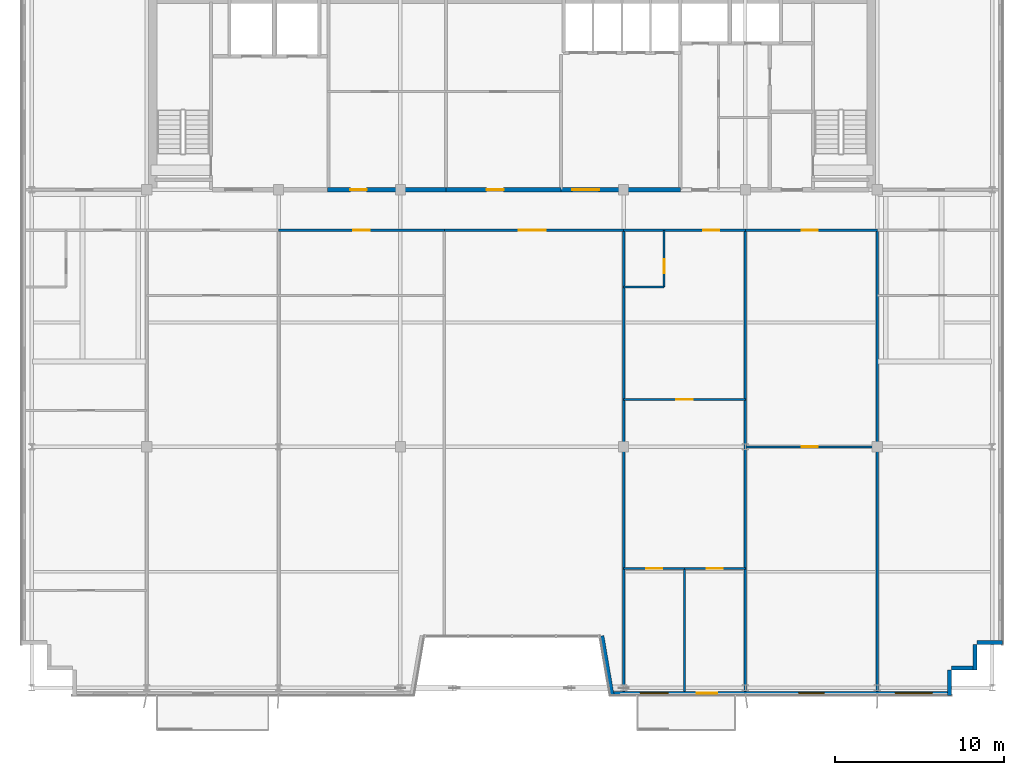
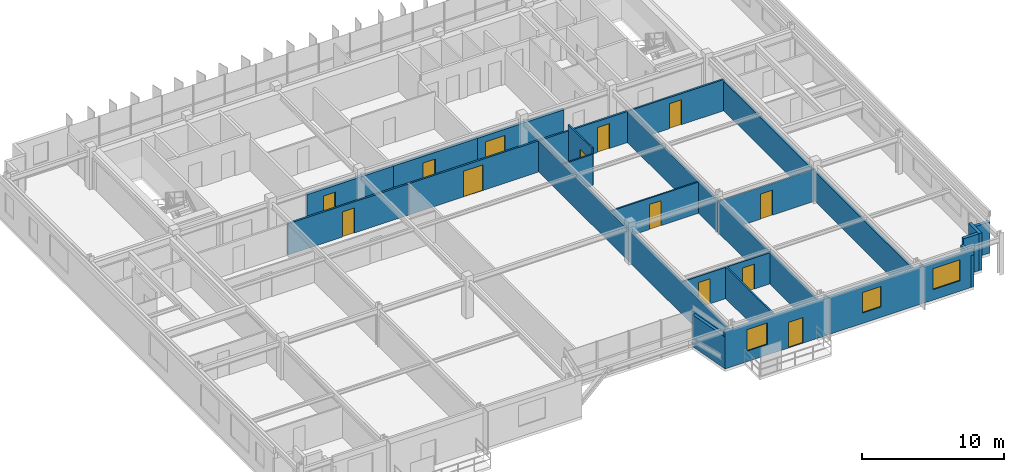
# One storey, part 22 of 26: 23 walls, 13 doors, 3 windows, 16 openings.
"""IFC4 building model written with IfcOpenShell, lengths in metres."""

from ifc_helpers import new_model, si_unit, direction, frame, frame_2d, origin, place, context, subcontext, project, spatial, rectangle, extrude, source, transform, mapped, material, layer, layer_set, type_object, element, fill, save


model = new_model("IFC4")

# Units and contexts
model_context = context("Model", 3, precision=1e-05, world=origin(), true_north=direction((0.0, 1.0)))
body_context = subcontext(model_context, "Body", "Model", "MODEL_VIEW")
ifc_project = project(units=[si_unit("LENGTHUNIT", "METRE"), si_unit("AREAUNIT", "SQUARE_METRE"), si_unit("VOLUMEUNIT", "CUBIC_METRE"), si_unit("PLANEANGLEUNIT", "RADIAN"), si_unit("MASSUNIT", "GRAM", prefix="KILO")], contexts=[model_context])

# Site, building, storey
site_placement = place(None, origin())
site = spatial("IfcSite", under=ifc_project, at=site_placement, CompositionType="ELEMENT")
building_placement = place(site_placement, origin())
building = spatial("IfcBuilding", under=site, at=building_placement, Name="Trelvane Seafront Commons", CompositionType="ELEMENT")
storey_placement = place(building_placement, frame((0.0, 0.0, 291.89990234375)))
storey = spatial("IfcBuildingStorey", under=building, at=storey_placement, Name="L76", CompositionType="ELEMENT", Elevation=291.89990234375)

# Walls
ifc_material_1 = material(Name="Precast concrete C40/50", Category="concrete")
ifc_layer_1 = layer(ifc_material_1, 0.239990234375, Name="ARCH-WALL-EXT240")
ifc_layer_set_1 = layer_set([ifc_layer_1], Name="Precast concrete C40/50")
wall_type_1 = type_object("IfcWallType", Name="ARCH-WALL-EXT240", PredefinedType="SOLIDWALL", material=ifc_layer_set_1)
wall_1_placement = place(storey_placement, frame((66.199951171875, 6.6201171875, 0.0), z_axis=(0.0, 0.0, 1.0), x_axis=(-1.0, 0.0, 0.0)))
element("IfcWall", 1, at=wall_1_placement, inside=storey, type_object=wall_type_1, Name="EW-L76-01548", PredefinedType="SOLIDWALL", context=body_context, shape_type="SweptSolid", body=[
    extrude(rectangle(XDim=1.5, YDim=0.239990234375, at=frame_2d((0.75, 0.0))), origin(), (0.0, 0.0, 1.0), 2.68017578125),
])
for number, where, z_axis, x_axis, name in (
    (2, (64.580078125, 6.5, 0.0), (0.0, 0.0, 1.0), (0.0, -1.0, 0.0), "EW-L76-01549"),
    (3, (64.699951171875, 5.1201171875, 0.0), (0.0, 0.0, 1.0), (-1.0, 0.0, 0.0), "EW-L76-01550"),
):
    element("IfcWall", number, at=place(storey_placement, frame(where, z_axis=z_axis, x_axis=x_axis)), inside=storey, type_object=wall_type_1, Name=name, PredefinedType="SOLIDWALL", context=body_context, shape_type="SweptSolid", body=[
        extrude(rectangle(XDim=1.5, YDim=0.239990234375, at=frame_2d((0.75, 0.0))), origin(), (0.0, 0.0, 1.0), 3.18017578125),
    ])
wall_2_placement = place(storey_placement, frame((63.080078125, 5.0, 0.0), z_axis=(0.0, 0.0, 1.0), x_axis=(0.0, -1.0, 0.0)))
element("IfcWall", 4, at=wall_2_placement, inside=storey, type_object=wall_type_1, Name="EW-L76-01551", PredefinedType="SOLIDWALL", context=body_context, shape_type="SweptSolid", body=[
    extrude(rectangle(XDim=1.5, YDim=0.239990234375, at=frame_2d((0.75, 0.0))), origin(), (0.0, 0.0, 1.0), 2.72998046875),
])

# Wall, openings, door, windows
wall_3_placement = place(storey_placement, frame((63.199951171875, 3.6201171875, 0.0), z_axis=(0.0, 0.0, 1.0), x_axis=(-1.0, 0.0, 0.0)))
wall_3 = element("IfcWall", 5, at=wall_3_placement, inside=storey, type_object=wall_type_1, Name="EW-L76-01552", PredefinedType="SOLIDWALL", context=body_context, shape_type="SweptSolid", body=[
    extrude(rectangle(XDim=20.199951171875, YDim=0.239990234375, at=frame_2d((10.10009765625, 0.0))), origin(), (0.0, 0.0, 1.0), 3.18017578125),
])
opening_1_placement = place(wall_3_placement, frame((1.14501953125, 0.0, 0.89990234375)))
opening_1 = element("IfcOpeningElement", 6, at=opening_1_placement, cuts=wall_3, Name="Opening W02", PredefinedType="OPENING", context=body_context, shape_type="SweptSolid", body=[
    extrude(rectangle(XDim=2.199951171875, YDim=1.800048828125, at=frame_2d((1.10009765625, 0.89990234375))), frame((0.0, 0.1298828125, 0.0), z_axis=(0.0, -1.0, 0.0), x_axis=(1.0, 0.0, 0.0)), (0.0, 0.0, 1.0), 0.260009765625),
])
opening_2_placement = place(wall_3_placement, frame((7.550048828125, 0.0, 0.89990234375)))
opening_2 = element("IfcOpeningElement", 7, at=opening_2_placement, cuts=wall_3, Name="Opening W03", PredefinedType="OPENING", context=body_context, shape_type="SweptSolid", body=[
    extrude(rectangle(XDim=1.5, YDim=1.75, at=frame_2d((0.75, 0.875))), frame((0.0, 0.1298828125, 0.0), z_axis=(0.0, -1.0, 0.0), x_axis=(1.0, 0.0, 0.0)), (0.0, 0.0, 1.0), 0.260009765625),
])
opening_3_placement = place(wall_3_placement, frame((13.864013671875, 0.0, 0.0)))
opening_3 = element("IfcOpeningElement", 8, at=opening_3_placement, cuts=wall_3, Name="Opening BD-L76-155", PredefinedType="OPENING", context=body_context, shape_type="SweptSolid", body=[
    extrude(rectangle(XDim=1.199951171875, YDim=2.199951171875, at=frame_2d((0.60009765625, 1.10009765625))), frame((0.0, 0.1298828125, 0.0), z_axis=(0.0, -1.0, 0.0), x_axis=(1.0, 0.0, 0.0)), (0.0, 0.0, 1.0), 0.260009765625),
])
opening_4_placement = place(wall_3_placement, frame((16.77490234375, 0.0, 0.89990234375)))
opening_4 = element("IfcOpeningElement", 9, at=opening_4_placement, cuts=wall_3, Name="Opening W07", PredefinedType="OPENING", context=body_context, shape_type="SweptSolid", body=[
    extrude(rectangle(XDim=1.64990234375, YDim=1.85009765625, at=frame_2d((0.824951171875, 0.925048828125))), frame((0.0, 0.1298828125, 0.0), z_axis=(0.0, -1.0, 0.0), x_axis=(1.0, 0.0, 0.0)), (0.0, 0.0, 1.0), 0.260009765625),
])
ifc_material_2 = material(Name="Powder-coated aluminium frame", Category="aluminium")
door_type_1 = type_object("IfcDoorType", Name="ARCH-DR-BAL1200", OperationType="NOTDEFINED", PredefinedType="DOOR", material=ifc_material_2)
shared_shape_1 = source(origin(), body_context, "Body", "SweptSolid", [
    extrude(rectangle(XDim=1.199951171875, YDim=2.199951171875, at=frame_2d((0.60009765625, 1.10009765625))), frame((0.0, 0.02490234375, 0.0), z_axis=(0.0, -1.0, 0.0), x_axis=(1.0, 0.0, 0.0)), (0.0, 0.0, 1.0), 0.050048828125),
])
door_1_placement = place(opening_3_placement, origin())
door_1 = element("IfcDoor", 10, at=door_1_placement, inside=storey, type_object=door_type_1, Name="L76 Balcony Terrace Access Door", OperationType="SINGLE_SWING_LEFT", OverallHeight=2.199951171875, OverallWidth=1.199951171875, PredefinedType="DOOR", context=body_context, shape_type="MappedRepresentation", body=[
    mapped(shared_shape_1, transform((0.0, 0.0, 0.0), x_axis=(1.0, 0.0, 0.0), y_axis=(0.0, 1.0, 0.0), z_axis=(0.0, 0.0, 1.0), scale=1.0)),
])
fill(opening_3, door_1)
ifc_material_3 = material(Name="Low-E coastal double glazing", Category="glass")
window_type_1 = type_object("IfcWindowType", Name="ARCH-WIN-W02", PartitioningType="SINGLE_PANEL", PredefinedType="WINDOW", material=ifc_material_3)
shared_shape_2 = source(origin(), body_context, "Body", "SweptSolid", [
    extrude(rectangle(XDim=2.199951171875, YDim=1.800048828125, at=frame_2d((1.10009765625, 0.89990234375))), frame((0.0, 0.030029296875, 0.0), z_axis=(0.0, -1.0, 0.0), x_axis=(1.0, 0.0, 0.0)), (0.0, 0.0, 1.0), 0.06005859375),
])
window_1_placement = place(opening_1_placement, origin())
window_1 = element("IfcWindow", 11, at=window_1_placement, inside=storey, type_object=window_type_1, Name="WIN-L76-01833", OverallHeight=1.800048828125, OverallWidth=2.199951171875, PartitioningType="SINGLE_PANEL", PredefinedType="WINDOW", context=body_context, shape_type="MappedRepresentation", body=[
    mapped(shared_shape_2, transform((0.0, 0.0, 0.0), x_axis=(1.0, 0.0, 0.0), y_axis=(0.0, 1.0, 0.0), z_axis=(0.0, 0.0, 1.0), scale=1.0)),
])
fill(opening_1, window_1)
window_type_2 = type_object("IfcWindowType", Name="ARCH-WIN-W03", PartitioningType="SINGLE_PANEL", PredefinedType="WINDOW", material=ifc_material_3)
shared_shape_3 = source(origin(), body_context, "Body", "SweptSolid", [
    extrude(rectangle(XDim=1.5, YDim=1.75, at=frame_2d((0.75, 0.875))), frame((0.0, 0.030029296875, 0.0), z_axis=(0.0, -1.0, 0.0), x_axis=(1.0, 0.0, 0.0)), (0.0, 0.0, 1.0), 0.06005859375),
])
window_2_placement = place(opening_2_placement, origin())
window_2 = element("IfcWindow", 12, at=window_2_placement, inside=storey, type_object=window_type_2, Name="WIN-L76-01834", OverallHeight=1.75, OverallWidth=1.5, PartitioningType="SINGLE_PANEL", PredefinedType="WINDOW", context=body_context, shape_type="MappedRepresentation", body=[
    mapped(shared_shape_3, transform((0.0, 0.0, 0.0), x_axis=(1.0, 0.0, 0.0), y_axis=(0.0, 1.0, 0.0), z_axis=(0.0, 0.0, 1.0), scale=1.0)),
])
fill(opening_2, window_2)
window_type_3 = type_object("IfcWindowType", Name="ARCH-WIN-W07", PartitioningType="SINGLE_PANEL", PredefinedType="WINDOW", material=ifc_material_3)
shared_shape_4 = source(origin(), body_context, "Body", "SweptSolid", [
    extrude(rectangle(XDim=1.64990234375, YDim=1.85009765625, at=frame_2d((0.824951171875, 0.925048828125))), frame((0.0, 0.030029296875, 0.0), z_axis=(0.0, -1.0, 0.0), x_axis=(1.0, 0.0, 0.0)), (0.0, 0.0, 1.0), 0.06005859375),
])
window_3_placement = place(opening_4_placement, origin())
window_3 = element("IfcWindow", 13, at=window_3_placement, inside=storey, type_object=window_type_3, Name="WIN-L76-01835", OverallHeight=1.85009765625, OverallWidth=1.64990234375, PartitioningType="SINGLE_PANEL", PredefinedType="WINDOW", context=body_context, shape_type="MappedRepresentation", body=[
    mapped(shared_shape_4, transform((0.0, 0.0, 0.0), x_axis=(1.0, 0.0, 0.0), y_axis=(0.0, 1.0, 0.0), z_axis=(0.0, 0.0, 1.0), scale=1.0)),
])
fill(opening_4, window_3)

# Wall
wall_4_placement = place(storey_placement, frame((43.118408203125, 3.520263671875, 0.0), z_axis=(0.0, 0.0, 1.0), x_axis=(-0.168990530437, 0.98561767467, 0.0)))
element("IfcWall", 14, at=wall_4_placement, inside=storey, type_object=wall_type_1, Name="EW-L76-01553", PredefinedType="SOLIDWALL", context=body_context, shape_type="SweptSolid", body=[
    extrude(rectangle(XDim=3.551025390625, YDim=0.239990234375, at=frame_2d((1.775390625, 0.0))), origin(), (0.0, 0.0, 1.0), 2.72998046875),
])

# Wall, opening, door
ifc_material_4 = material(Name="Concrete C40/50", Category="concrete")
ifc_layer_2 = layer(ifc_material_4, 0.25, Name="ARCH-WALL-FIRE250")
ifc_layer_set_2 = layer_set([ifc_layer_2], Name="Concrete C40/50")
wall_type_2 = type_object("IfcWallType", Name="ARCH-WALL-FIRE250", PredefinedType="PARTITIONING", material=ifc_layer_set_2)
wall_5_placement = place(storey_placement, frame((26.300048828125, 33.39990234375, 0.0), z_axis=(0.0, 0.0, 1.0), x_axis=(1.0, 0.0, 0.0)))
wall_5 = element("IfcWall", 15, at=wall_5_placement, inside=storey, type_object=wall_type_2, Name="W-L76-CS-FPL-024", PredefinedType="PARTITIONING", context=body_context, shape_type="SweptSolid", body=[
    extrude(rectangle(XDim=7.0, YDim=0.25, at=frame_2d((3.5, 0.0))), origin(), (0.0, 0.0, 1.0), 2.72998046875),
])
opening_5_placement = place(wall_5_placement, frame((1.35009765625, 0.0, 0.0)))
opening_5 = element("IfcOpeningElement", 16, at=opening_5_placement, cuts=wall_5, Name="Opening D-L76-12", PredefinedType="OPENING", context=body_context, shape_type="SweptSolid", body=[
    extrude(rectangle(XDim=0.949951171875, YDim=2.14990234375, at=frame_2d((0.47509765625, 1.074951171875))), frame((0.0, 0.135009765625, 0.0), z_axis=(0.0, -1.0, 0.0), x_axis=(1.0, 0.0, 0.0)), (0.0, 0.0, 1.0), 0.27001953125),
])
ifc_material_5 = material(Name="Acoustic timber door leaf", Category="wood")
door_type_2 = type_object("IfcDoorType", Name="ARCH-DR-INT950", OperationType="NOTDEFINED", PredefinedType="DOOR", material=ifc_material_5)
shared_shape_5 = source(origin(), body_context, "Body", "SweptSolid", [
    extrude(rectangle(XDim=0.949951171875, YDim=2.14990234375, at=frame_2d((0.47509765625, 1.074951171875))), frame((0.0, 0.02490234375, 0.0), z_axis=(0.0, -1.0, 0.0), x_axis=(1.0, 0.0, 0.0)), (0.0, 0.0, 1.0), 0.050048828125),
])
door_2_placement = place(opening_5_placement, origin())
door_2 = element("IfcDoor", 17, at=door_2_placement, inside=storey, type_object=door_type_2, Name="L76 Floor Pantry Entrance Door", OperationType="SINGLE_SWING_RIGHT", OverallHeight=2.14990234375, OverallWidth=0.949951171875, PredefinedType="DOOR", context=body_context, shape_type="MappedRepresentation", body=[
    mapped(shared_shape_5, transform((0.0, 0.0, 0.0), x_axis=(1.0, 0.0, 0.0), y_axis=(0.0, 1.0, 0.0), z_axis=(0.0, 0.0, 1.0), scale=1.0)),
])
fill(opening_5, door_2)

wall_6_placement = place(storey_placement, frame((33.300048828125, 33.39990234375, 0.0), z_axis=(0.0, 0.0, 1.0), x_axis=(1.0, 0.0, 0.0)))
wall_6 = element("IfcWall", 18, at=wall_6_placement, inside=storey, type_object=wall_type_2, Name="W-L76-CS-FPM-025", PredefinedType="PARTITIONING", context=body_context, shape_type="SweptSolid", body=[
    extrude(rectangle(XDim=6.800048828125, YDim=0.25, at=frame_2d((3.39990234375, 0.0))), origin(), (0.0, 0.0, 1.0), 2.72998046875),
])
opening_6_placement = place(wall_6_placement, frame((2.39990234375, 0.0, 0.0)))
opening_6 = element("IfcOpeningElement", 19, at=opening_6_placement, cuts=wall_6, Name="Opening FD-L76-13", PredefinedType="OPENING", context=body_context, shape_type="SweptSolid", body=[
    extrude(rectangle(XDim=1.0, YDim=2.14990234375, at=frame_2d((0.5, 1.074951171875))), frame((0.0, 0.135009765625, 0.0), z_axis=(0.0, -1.0, 0.0), x_axis=(1.0, 0.0, 0.0)), (0.0, 0.0, 1.0), 0.27001953125),
])
door_type_3 = type_object("IfcDoorType", Name="ARCH-DR-FD60-1000", OperationType="NOTDEFINED", PredefinedType="DOOR", material=ifc_material_2)
shared_shape_6 = source(origin(), body_context, "Body", "SweptSolid", [
    extrude(rectangle(XDim=1.0, YDim=2.14990234375, at=frame_2d((0.5, 1.074951171875))), frame((0.0, 0.02490234375, 0.0), z_axis=(0.0, -1.0, 0.0), x_axis=(1.0, 0.0, 0.0)), (0.0, 0.0, 1.0), 0.050048828125),
])
door_3_placement = place(opening_6_placement, origin())
door_3 = element("IfcDoor", 20, at=door_3_placement, inside=storey, type_object=door_type_3, Name="L76 Trunk Storage Door", OperationType="SINGLE_SWING_LEFT", OverallHeight=2.14990234375, OverallWidth=1.0, PredefinedType="DOOR", context=body_context, shape_type="MappedRepresentation", body=[
    mapped(shared_shape_6, transform((0.0, 0.0, 0.0), x_axis=(1.0, 0.0, 0.0), y_axis=(0.0, 1.0, 0.0), z_axis=(0.0, 0.0, 1.0), scale=1.0)),
])
fill(opening_6, door_3)

wall_7_placement = place(storey_placement, frame((40.10009765625, 33.39990234375, 0.0), z_axis=(0.0, 0.0, 1.0), x_axis=(1.0, 0.0, 0.0)))
wall_7 = element("IfcWall", 21, at=wall_7_placement, inside=storey, type_object=wall_type_2, Name="W-L76-CS-PAX-026", PredefinedType="PARTITIONING", context=body_context, shape_type="SweptSolid", body=[
    extrude(rectangle(XDim=7.0498046875, YDim=0.25, at=frame_2d((3.52490234375, 0.0))), origin(), (0.0, 0.0, 1.0), 2.72998046875),
])
opening_7_placement = place(wall_7_placement, frame((0.64990234375, 0.0, 0.0)))
opening_7 = element("IfcOpeningElement", 22, at=opening_7_placement, cuts=wall_7, Name="Opening FD-L76-14", PredefinedType="OPENING", context=body_context, shape_type="SweptSolid", body=[
    extrude(rectangle(XDim=1.60009765625, YDim=2.199951171875, at=frame_2d((0.800048828125, 1.10009765625))), frame((0.0, 0.135009765625, 0.0), z_axis=(0.0, -1.0, 0.0), x_axis=(1.0, 0.0, 0.0)), (0.0, 0.0, 1.0), 0.27001953125),
])
door_type_4 = type_object("IfcDoorType", Name="ARCH-DR-FD60-1600", OperationType="DOUBLE_DOOR_SINGLE_SWING", PredefinedType="DOOR", material=ifc_material_2)
shared_shape_7 = source(origin(), body_context, "Body", "SweptSolid", [
    extrude(rectangle(XDim=1.60009765625, YDim=2.199951171875, at=frame_2d((0.800048828125, 1.10009765625))), frame((0.0, 0.02490234375, 0.0), z_axis=(0.0, -1.0, 0.0), x_axis=(1.0, 0.0, 0.0)), (0.0, 0.0, 1.0), 0.050048828125),
])
door_4_placement = place(opening_7_placement, origin())
door_4 = element("IfcDoor", 23, at=door_4_placement, inside=storey, type_object=door_type_4, Name="L76 High-Rise Lift Lobby Double Door", OperationType="DOUBLE_DOOR_SINGLE_SWING", OverallHeight=2.199951171875, OverallWidth=1.60009765625, PredefinedType="DOOR", context=body_context, shape_type="MappedRepresentation", body=[
    mapped(shared_shape_7, transform((0.0, 0.0, 0.0), x_axis=(1.0, 0.0, 0.0), y_axis=(0.0, 1.0, 0.0), z_axis=(0.0, 0.0, 1.0), scale=1.0)),
])
fill(opening_7, door_4)

ifc_material_6 = material(Name="Gypsum Drywall Acoustic Partition")
ifc_layer_3 = layer(ifc_material_6, 0.1201171875, Name="ARCH-WALL-PART120")
ifc_layer_set_3 = layer_set([ifc_layer_3], Name="Gypsum Drywall Acoustic Partition")
wall_type_3 = type_object("IfcWallType", Name="ARCH-WALL-PART120", PredefinedType="PARTITIONING", material=ifc_layer_set_3)
wall_8_placement = place(storey_placement, frame((43.800048828125, 21.0, 0.0), z_axis=(0.0, 0.0, 1.0), x_axis=(1.0, 0.0, 0.0)))
wall_8 = element("IfcWall", 24, at=wall_8_placement, inside=storey, type_object=wall_type_3, Name="W-L76-U5-KL-056", PredefinedType="PARTITIONING", context=body_context, shape_type="SweptSolid", body=[
    extrude(rectangle(XDim=7.199951171875, YDim=0.1201171875, at=frame_2d((3.60009765625, 0.0))), origin(), (0.0, 0.0, 1.0), 2.68017578125),
])
opening_8_placement = place(wall_8_placement, frame((3.125, 0.0, 0.0)))
opening_8 = element("IfcOpeningElement", 25, at=opening_8_placement, cuts=wall_8, Name="Opening D-L76-36", PredefinedType="OPENING", context=body_context, shape_type="SweptSolid", body=[
    extrude(rectangle(XDim=0.949951171875, YDim=2.14990234375, at=frame_2d((0.47509765625, 1.074951171875))), frame((0.0, 0.070068359375, 0.0), z_axis=(0.0, -1.0, 0.0), x_axis=(1.0, 0.0, 0.0)), (0.0, 0.0, 1.0), 0.14013671875),
])
door_5_placement = place(opening_8_placement, origin())
door_5 = element("IfcDoor", 26, at=door_5_placement, inside=storey, type_object=door_type_2, Name="L76 Door 36", OperationType="SINGLE_SWING_RIGHT", OverallHeight=2.14990234375, OverallWidth=0.949951171875, PredefinedType="DOOR", context=body_context, shape_type="MappedRepresentation", body=[
    mapped(shared_shape_5, transform((0.0, 0.0, 0.0), x_axis=(1.0, 0.0, 0.0), y_axis=(0.0, 1.0, 0.0), z_axis=(0.0, 0.0, 1.0), scale=1.0)),
])
fill(opening_8, door_5)

wall_9_placement = place(storey_placement, frame((46.199951171875, 27.64990234375, 0.0), z_axis=(0.0, 0.0, 1.0), x_axis=(0.0, 1.0, 0.0)))
wall_9 = element("IfcWall", 27, at=wall_9_placement, inside=storey, type_object=wall_type_3, Name="W-L76-U5-BE-057", PredefinedType="PARTITIONING", context=body_context, shape_type="SweptSolid", body=[
    extrude(rectangle(XDim=3.35009765625, YDim=0.1201171875, at=frame_2d((1.675048828125, 0.0))), origin(), (0.0, 0.0, 1.0), 3.18017578125),
])
opening_9_placement = place(wall_9_placement, frame((0.800048828125, 0.0, 0.0)))
opening_9 = element("IfcOpeningElement", 28, at=opening_9_placement, cuts=wall_9, Name="Opening D-L76-37", PredefinedType="OPENING", context=body_context, shape_type="SweptSolid", body=[
    extrude(rectangle(XDim=0.85009765625, YDim=2.10009765625, at=frame_2d((0.425048828125, 1.050048828125))), frame((0.0, 0.070068359375, 0.0), z_axis=(0.0, -1.0, 0.0), x_axis=(1.0, 0.0, 0.0)), (0.0, 0.0, 1.0), 0.14013671875),
])
door_type_5 = type_object("IfcDoorType", Name="ARCH-DR-INT850", OperationType="NOTDEFINED", PredefinedType="DOOR", material=ifc_material_5)
shared_shape_8 = source(origin(), body_context, "Body", "SweptSolid", [
    extrude(rectangle(XDim=0.85009765625, YDim=2.10009765625, at=frame_2d((0.425048828125, 1.050048828125))), frame((0.0, 0.02490234375, 0.0), z_axis=(0.0, -1.0, 0.0), x_axis=(1.0, 0.0, 0.0)), (0.0, 0.0, 1.0), 0.050048828125),
])
door_6_placement = place(opening_9_placement, origin())
door_6 = element("IfcDoor", 29, at=door_6_placement, inside=storey, type_object=door_type_5, Name="L76 Door 37", OperationType="SINGLE_SWING_LEFT", OverallHeight=2.10009765625, OverallWidth=0.85009765625, PredefinedType="DOOR", context=body_context, shape_type="MappedRepresentation", body=[
    mapped(shared_shape_8, transform((0.0, 0.0, 0.0), x_axis=(1.0, 0.0, 0.0), y_axis=(0.0, 1.0, 0.0), z_axis=(0.0, 0.0, 1.0), scale=1.0)),
])
fill(opening_9, door_6)

# Wall
wall_10_placement = place(storey_placement, frame((43.800048828125, 27.64990234375, 0.0), z_axis=(0.0, 0.0, 1.0), x_axis=(1.0, 0.0, 0.0)))
element("IfcWall", 30, at=wall_10_placement, inside=storey, type_object=wall_type_3, Name="W-L76-U5-BS-058", PredefinedType="PARTITIONING", context=body_context, shape_type="SweptSolid", body=[
    extrude(rectangle(XDim=2.39990234375, YDim=0.1201171875, at=frame_2d((1.199951171875, 0.0))), origin(), (0.0, 0.0, 1.0), 2.68017578125),
])

# Wall, opening, door
wall_11_placement = place(storey_placement, frame((43.800048828125, 11.0, 0.0), z_axis=(0.0, 0.0, 1.0), x_axis=(1.0, 0.0, 0.0)))
wall_11 = element("IfcWall", 31, at=wall_11_placement, inside=storey, type_object=wall_type_3, Name="W-L76-U5-YM-1-060", PredefinedType="PARTITIONING", context=body_context, shape_type="SweptSolid", body=[
    extrude(rectangle(XDim=3.599853515625, YDim=0.1201171875, at=frame_2d((1.7998046875, 0.0))), origin(), (0.0, 0.0, 1.0), 2.68017578125),
])
opening_10_placement = place(wall_11_placement, frame((1.324951171875, 0.0, 0.0)))
opening_10 = element("IfcOpeningElement", 32, at=opening_10_placement, cuts=wall_11, Name="Opening D-L76-39", PredefinedType="OPENING", context=body_context, shape_type="SweptSolid", body=[
    extrude(rectangle(XDim=0.949951171875, YDim=2.14990234375, at=frame_2d((0.47509765625, 1.074951171875))), frame((0.0, 0.070068359375, 0.0), z_axis=(0.0, -1.0, 0.0), x_axis=(1.0, 0.0, 0.0)), (0.0, 0.0, 1.0), 0.14013671875),
])
door_7_placement = place(opening_10_placement, origin())
door_7 = element("IfcDoor", 33, at=door_7_placement, inside=storey, type_object=door_type_2, Name="L76 Door 39", OperationType="SINGLE_SWING_LEFT", OverallHeight=2.14990234375, OverallWidth=0.949951171875, PredefinedType="DOOR", context=body_context, shape_type="MappedRepresentation", body=[
    mapped(shared_shape_5, transform((0.0, 0.0, 0.0), x_axis=(1.0, 0.0, 0.0), y_axis=(0.0, 1.0, 0.0), z_axis=(0.0, 0.0, 1.0), scale=1.0)),
])
fill(opening_10, door_7)

wall_12_placement = place(storey_placement, frame((47.39990234375, 11.0, 0.0), z_axis=(0.0, 0.0, 1.0), x_axis=(1.0, 0.0, 0.0)))
wall_12 = element("IfcWall", 34, at=wall_12_placement, inside=storey, type_object=wall_type_3, Name="W-L76-U5-YM-2-061", PredefinedType="PARTITIONING", context=body_context, shape_type="SweptSolid", body=[
    extrude(rectangle(XDim=3.60009765625, YDim=0.1201171875, at=frame_2d((1.800048828125, 0.0))), origin(), (0.0, 0.0, 1.0), 2.68017578125),
])
opening_11_placement = place(wall_12_placement, frame((1.324951171875, 0.0, 0.0)))
opening_11 = element("IfcOpeningElement", 35, at=opening_11_placement, cuts=wall_12, Name="Opening D-L76-40", PredefinedType="OPENING", context=body_context, shape_type="SweptSolid", body=[
    extrude(rectangle(XDim=0.949951171875, YDim=2.14990234375, at=frame_2d((0.47509765625, 1.074951171875))), frame((0.0, 0.070068359375, 0.0), z_axis=(0.0, -1.0, 0.0), x_axis=(1.0, 0.0, 0.0)), (0.0, 0.0, 1.0), 0.14013671875),
])
door_8_placement = place(opening_11_placement, origin())
door_8 = element("IfcDoor", 36, at=door_8_placement, inside=storey, type_object=door_type_2, Name="L76 Door 40", OperationType="SINGLE_SWING_RIGHT", OverallHeight=2.14990234375, OverallWidth=0.949951171875, PredefinedType="DOOR", context=body_context, shape_type="MappedRepresentation", body=[
    mapped(shared_shape_5, transform((0.0, 0.0, 0.0), x_axis=(1.0, 0.0, 0.0), y_axis=(0.0, 1.0, 0.0), z_axis=(0.0, 0.0, 1.0), scale=1.0)),
])
fill(opening_11, door_8)

# Wall
wall_13_placement = place(storey_placement, frame((47.39990234375, 3.72509765625, 0.0), z_axis=(0.0, 0.0, 1.0), x_axis=(0.0, 1.0, 0.0)))
element("IfcWall", 37, at=wall_13_placement, inside=storey, type_object=wall_type_3, Name="W-L76-U5-BDV-1-062", PredefinedType="PARTITIONING", context=body_context, shape_type="SweptSolid", body=[
    extrude(rectangle(XDim=7.27490234375, YDim=0.1201171875, at=frame_2d((3.637451171875, 0.0))), origin(), (0.0, 0.0, 1.0), 2.72998046875),
])

# Wall, opening, door
wall_14_placement = place(storey_placement, frame((51.0, 18.199951171875, 0.0), z_axis=(0.0, 0.0, 1.0), x_axis=(1.0, 0.0, 0.0)))
wall_14 = element("IfcWall", 38, at=wall_14_placement, inside=storey, type_object=wall_type_3, Name="W-L76-U6-DIV-064", PredefinedType="PARTITIONING", context=body_context, shape_type="SweptSolid", body=[
    extrude(rectangle(XDim=7.800048828125, YDim=0.1201171875, at=frame_2d((3.89990234375, 0.0))), origin(), (0.0, 0.0, 1.0), 2.72998046875),
])
opening_12_placement = place(wall_14_placement, frame((3.3330078125, 0.0, 0.0)))
opening_12 = element("IfcOpeningElement", 39, at=opening_12_placement, cuts=wall_14, Name="Opening D-L76-42", PredefinedType="OPENING", context=body_context, shape_type="SweptSolid", body=[
    extrude(rectangle(XDim=0.949951171875, YDim=2.14990234375, at=frame_2d((0.47509765625, 1.074951171875))), frame((0.0, 0.070068359375, 0.0), z_axis=(0.0, -1.0, 0.0), x_axis=(1.0, 0.0, 0.0)), (0.0, 0.0, 1.0), 0.14013671875),
])
door_9_placement = place(opening_12_placement, origin())
door_9 = element("IfcDoor", 40, at=door_9_placement, inside=storey, type_object=door_type_2, Name="L76 Door 42", OperationType="SINGLE_SWING_RIGHT", OverallHeight=2.14990234375, OverallWidth=0.949951171875, PredefinedType="DOOR", context=body_context, shape_type="MappedRepresentation", body=[
    mapped(shared_shape_5, transform((0.0, 0.0, 0.0), x_axis=(1.0, 0.0, 0.0), y_axis=(0.0, 1.0, 0.0), z_axis=(0.0, 0.0, 1.0), scale=1.0)),
])
fill(opening_12, door_9)

# Walls
ifc_layer_4 = layer(ifc_material_6, 0.14990234375, Name="ARCH-WALL-PART150")
ifc_layer_set_4 = layer_set([ifc_layer_4], Name="Gypsum Drywall Acoustic Partition")
wall_type_4 = type_object("IfcWallType", Name="ARCH-WALL-PART150", PredefinedType="PARTITIONING", material=ifc_layer_set_4)
for number, where, z_axis, x_axis, name in (
    (41, (43.800048828125, 3.72509765625, 0.0), (0.0, 0.0, 1.0), (0.0, 1.0, 0.0), "W-L76-PW-4-043"),
    (42, (51.0, 3.72509765625, 0.0), (0.0, 0.0, 1.0), (0.0, 1.0, 0.0), "W-L76-PW-5-044"),
):
    element("IfcWall", number, at=place(storey_placement, frame(where, z_axis=z_axis, x_axis=x_axis)), inside=storey, type_object=wall_type_4, Name=name, PredefinedType="PARTITIONING", context=body_context, shape_type="SweptSolid", body=[
        extrude(rectangle(XDim=27.27490234375, YDim=0.14990234375, at=frame_2d((13.637451171875, 0.0))), origin(), (0.0, 0.0, 1.0), 2.68017578125),
    ])
wall_15_placement = place(storey_placement, frame((58.800048828125, 3.72509765625, 0.0), z_axis=(0.0, 0.0, 1.0), x_axis=(0.0, 1.0, 0.0)))
element("IfcWall", 43, at=wall_15_placement, inside=storey, type_object=wall_type_4, Name="W-L76-PW-6-045", PredefinedType="PARTITIONING", context=body_context, shape_type="SweptSolid", body=[
    extrude(rectangle(XDim=27.27490234375, YDim=0.14990234375, at=frame_2d((13.637451171875, 0.0))), origin(), (0.0, 0.0, 1.0), 2.530029296875),
])

# Wall, opening, door
wall_16_placement = place(storey_placement, frame((23.39990234375, 31.0, 0.0), z_axis=(0.0, 0.0, 1.0), x_axis=(1.0, 0.0, 0.0)))
wall_16 = element("IfcWall", 44, at=wall_16_placement, inside=storey, type_object=wall_type_4, Name="W-L76-CS-BAY-3-053", PredefinedType="PARTITIONING", context=body_context, shape_type="SweptSolid", body=[
    extrude(rectangle(XDim=9.800048828125, YDim=0.14990234375, at=frame_2d((4.89990234375, 0.0))), origin(), (0.0, 0.0, 1.0), 2.68017578125),
])
opening_13_placement = place(wall_16_placement, frame((4.425048828125, 0.0, 0.0)))
opening_13 = element("IfcOpeningElement", 45, at=opening_13_placement, cuts=wall_16, Name="Opening FD-L76-33", PredefinedType="OPENING", context=body_context, shape_type="SweptSolid", body=[
    extrude(rectangle(XDim=0.949951171875, YDim=2.14990234375, at=frame_2d((0.47509765625, 1.074951171875))), frame((0.0, 0.0849609375, 0.0), z_axis=(0.0, -1.0, 0.0), x_axis=(1.0, 0.0, 0.0)), (0.0, 0.0, 1.0), 0.169921875),
])
door_type_6 = type_object("IfcDoorType", Name="ARCH-DR-FD60-950", OperationType="NOTDEFINED", PredefinedType="DOOR", material=ifc_material_2)
door_10_placement = place(opening_13_placement, origin())
door_10 = element("IfcDoor", 46, at=door_10_placement, inside=storey, type_object=door_type_6, Name="L76 Bay 03 Entrance Door", OperationType="SINGLE_SWING_LEFT", OverallHeight=2.14990234375, OverallWidth=0.949951171875, PredefinedType="DOOR", context=body_context, shape_type="MappedRepresentation", body=[
    mapped(shared_shape_5, transform((0.0, 0.0, 0.0), x_axis=(1.0, 0.0, 0.0), y_axis=(0.0, 1.0, 0.0), z_axis=(0.0, 0.0, 1.0), scale=1.0)),
])
fill(opening_13, door_10)

wall_17_placement = place(storey_placement, frame((33.199951171875, 31.0, 0.0), z_axis=(0.0, 0.0, 1.0), x_axis=(1.0, 0.0, 0.0)))
wall_17 = element("IfcWall", 47, at=wall_17_placement, inside=storey, type_object=wall_type_4, Name="W-L76-CS-BAY-4-055", PredefinedType="PARTITIONING", context=body_context, shape_type="SweptSolid", body=[
    extrude(rectangle(XDim=10.60009765625, YDim=0.14990234375, at=frame_2d((5.300048828125, 0.0))), origin(), (0.0, 0.0, 1.0), 2.68017578125),
])
opening_14_placement = place(wall_17_placement, frame((4.407958984375, 0.0, 0.0)))
opening_14 = element("IfcOpeningElement", 48, at=opening_14_placement, cuts=wall_17, Name="Opening D-L76-35", PredefinedType="OPENING", context=body_context, shape_type="SweptSolid", body=[
    extrude(rectangle(XDim=1.60009765625, YDim=2.199951171875, at=frame_2d((0.800048828125, 1.10009765625))), frame((0.0, 0.0849609375, 0.0), z_axis=(0.0, -1.0, 0.0), x_axis=(1.0, 0.0, 0.0)), (0.0, 0.0, 1.0), 0.169921875),
])
door_type_7 = type_object("IfcDoorType", Name="ARCH-DR-GLZ1600", OperationType="DOUBLE_DOOR_SINGLE_SWING", PredefinedType="DOOR", material=ifc_material_5)
door_11_placement = place(opening_14_placement, origin())
door_11 = element("IfcDoor", 49, at=door_11_placement, inside=storey, type_object=door_type_7, Name="L76 Commons Lounge 04 Door", OperationType="DOUBLE_DOOR_SINGLE_SWING", OverallHeight=2.199951171875, OverallWidth=1.60009765625, PredefinedType="DOOR", context=body_context, shape_type="MappedRepresentation", body=[
    mapped(shared_shape_7, transform((0.0, 0.0, 0.0), x_axis=(1.0, 0.0, 0.0), y_axis=(0.0, 1.0, 0.0), z_axis=(0.0, 0.0, 1.0), scale=1.0)),
])
fill(opening_14, door_11)

wall_18_placement = place(storey_placement, frame((43.800048828125, 31.0, 0.0), z_axis=(0.0, 0.0, 1.0), x_axis=(1.0, 0.0, 0.0)))
wall_18 = element("IfcWall", 50, at=wall_18_placement, inside=storey, type_object=wall_type_4, Name="W-L76-CS-BAY-5-059", PredefinedType="PARTITIONING", context=body_context, shape_type="SweptSolid", body=[
    extrude(rectangle(XDim=7.199951171875, YDim=0.14990234375, at=frame_2d((3.60009765625, 0.0))), origin(), (0.0, 0.0, 1.0), 2.68017578125),
])
opening_15_placement = place(wall_18_placement, frame((4.7060546875, 0.0, 0.0)))
opening_15 = element("IfcOpeningElement", 51, at=opening_15_placement, cuts=wall_18, Name="Opening FD-L76-38", PredefinedType="OPENING", context=body_context, shape_type="SweptSolid", body=[
    extrude(rectangle(XDim=0.949951171875, YDim=2.14990234375, at=frame_2d((0.47509765625, 1.074951171875))), frame((0.0, 0.0849609375, 0.0), z_axis=(0.0, -1.0, 0.0), x_axis=(1.0, 0.0, 0.0)), (0.0, 0.0, 1.0), 0.169921875),
])
door_12_placement = place(opening_15_placement, origin())
door_12 = element("IfcDoor", 52, at=door_12_placement, inside=storey, type_object=door_type_6, Name="L76 Unit 05 Entrance Door", OperationType="SINGLE_SWING_RIGHT", OverallHeight=2.14990234375, OverallWidth=0.949951171875, PredefinedType="DOOR", context=body_context, shape_type="MappedRepresentation", body=[
    mapped(shared_shape_5, transform((0.0, 0.0, 0.0), x_axis=(1.0, 0.0, 0.0), y_axis=(0.0, 1.0, 0.0), z_axis=(0.0, 0.0, 1.0), scale=1.0)),
])
fill(opening_15, door_12)

wall_19_placement = place(storey_placement, frame((51.0, 31.0, 0.0), z_axis=(0.0, 0.0, 1.0), x_axis=(1.0, 0.0, 0.0)))
wall_19 = element("IfcWall", 53, at=wall_19_placement, inside=storey, type_object=wall_type_4, Name="W-L76-CS-BAY-6-063", PredefinedType="PARTITIONING", context=body_context, shape_type="SweptSolid", body=[
    extrude(rectangle(XDim=7.800048828125, YDim=0.14990234375, at=frame_2d((3.89990234375, 0.0))), origin(), (0.0, 0.0, 1.0), 2.68017578125),
])
opening_16_placement = place(wall_19_placement, frame((3.3330078125, 0.0, 0.0)))
opening_16 = element("IfcOpeningElement", 54, at=opening_16_placement, cuts=wall_19, Name="Opening FD-L76-41", PredefinedType="OPENING", context=body_context, shape_type="SweptSolid", body=[
    extrude(rectangle(XDim=0.949951171875, YDim=2.14990234375, at=frame_2d((0.47509765625, 1.074951171875))), frame((0.0, 0.0849609375, 0.0), z_axis=(0.0, -1.0, 0.0), x_axis=(1.0, 0.0, 0.0)), (0.0, 0.0, 1.0), 0.169921875),
])
door_13_placement = place(opening_16_placement, origin())
door_13 = element("IfcDoor", 55, at=door_13_placement, inside=storey, type_object=door_type_6, Name="L76 Bay 06 Entrance Door", OperationType="SINGLE_SWING_LEFT", OverallHeight=2.14990234375, OverallWidth=0.949951171875, PredefinedType="DOOR", context=body_context, shape_type="MappedRepresentation", body=[
    mapped(shared_shape_5, transform((0.0, 0.0, 0.0), x_axis=(1.0, 0.0, 0.0), y_axis=(0.0, 1.0, 0.0), z_axis=(0.0, 0.0, 1.0), scale=1.0)),
])
fill(opening_16, door_13)

save(model, "model.ifc")
